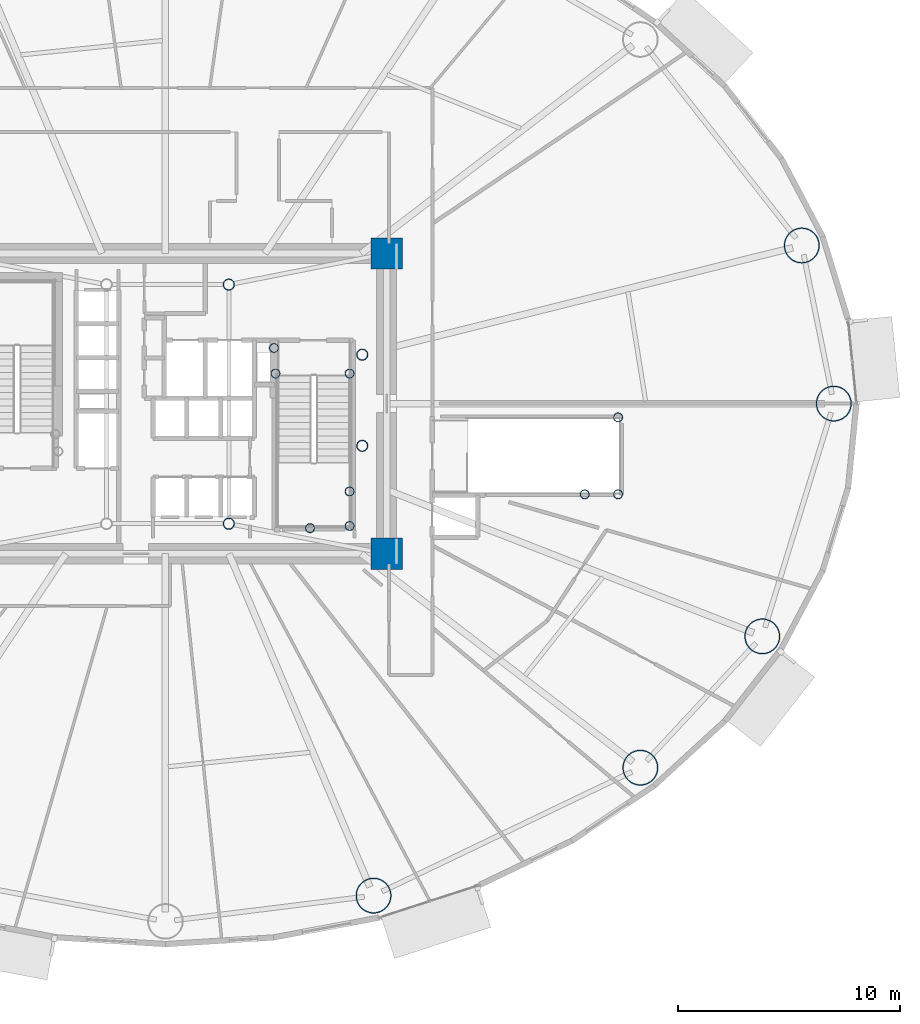
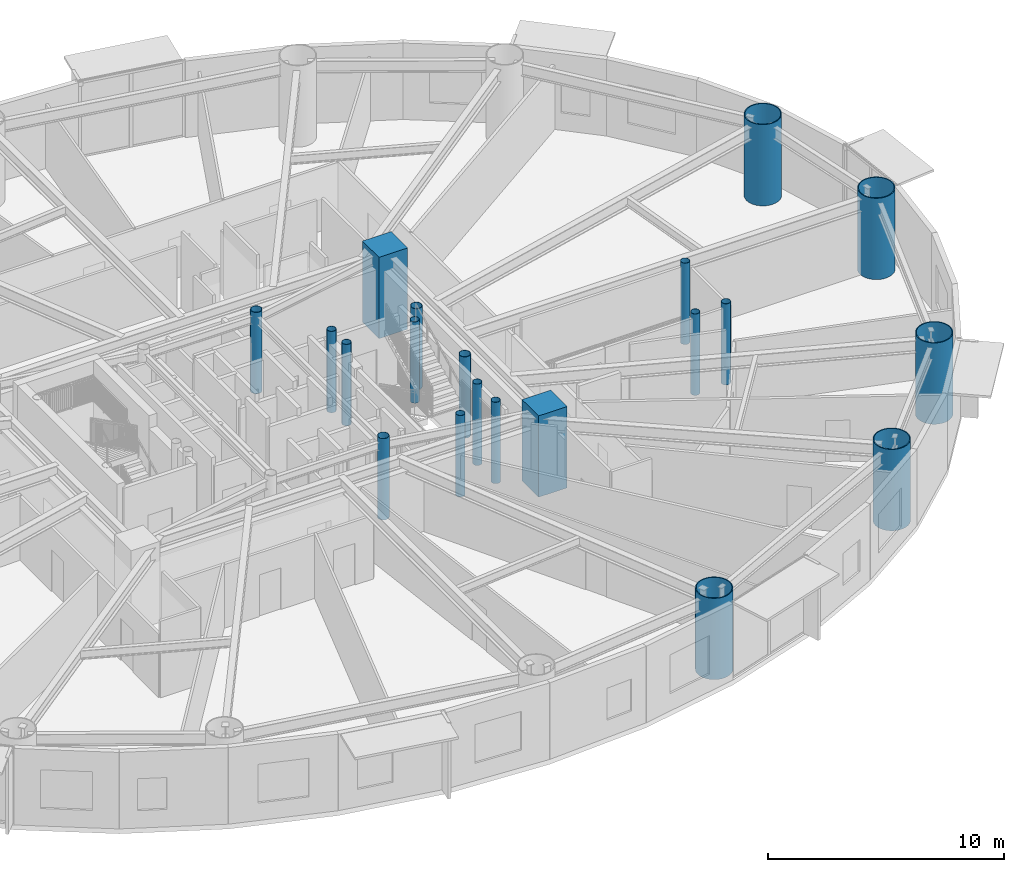
# One storey, part 2 of 28: 20 columns.
"""IFC4 building model written with IfcOpenShell, lengths in metres."""

from ifc_helpers import new_model, si_unit, direction, frame, origin, origin_2d, place, context, subcontext, project, spatial, rectangle, hollow_circle, extrude, material, material_profile, profile_set, type_object, element, save


model = new_model("IFC4")

# Units and contexts
model_context = context("Model", 3, precision=1e-05, world=origin(), true_north=direction((0.0, 1.0)))
body_context = subcontext(model_context, "Body", "Model", "MODEL_VIEW")
ifc_project = project(units=[si_unit("LENGTHUNIT", "METRE"), si_unit("AREAUNIT", "SQUARE_METRE"), si_unit("VOLUMEUNIT", "CUBIC_METRE"), si_unit("PLANEANGLEUNIT", "RADIAN"), si_unit("MASSUNIT", "GRAM", prefix="KILO")], contexts=[model_context])

# Site, building, storey
site_placement = place(None, origin())
site = spatial("IfcSite", under=ifc_project, at=site_placement, CompositionType="ELEMENT")
building_placement = place(site_placement, origin())
building = spatial("IfcBuilding", under=site, at=building_placement, Name="Linh Dai School and Residence Tower", CompositionType="ELEMENT")
storey_placement = place(building_placement, frame((0.0, 0.0, 57.60009765625)))
storey = spatial("IfcBuildingStorey", under=building, at=storey_placement, Name="L13", CompositionType="ELEMENT", Elevation=57.60009765625)

# Columns
ifc_material_1 = material(Name="Concrete B60 (C50/60)", Category="concrete")
ifc_material_profile_1 = material_profile(ifc_material_1, rectangle(XDim=1.39990234375, YDim=1.39990234375, at=origin_2d()), Name="RC 1400x1400")
ifc_profile_set_1 = profile_set([ifc_material_profile_1], Name="Concrete B60 (C50/60)")
column_type_1 = type_object("IfcColumnType", Name="COL-CC1", PredefinedType="COLUMN", material=ifc_profile_set_1)
for number, where, z_axis, x_axis, name in (
    (1, (45.949951171875, 20.25, 0.0), (0.0, 0.0, 1.0), (1.0, 0.0, 0.0), "L13 Core Corner Pier CC2"),
    (2, (45.949951171875, 33.75, 0.0), (0.0, 0.0, 1.0), (1.0, 0.0, 0.0), "L13 Core Corner Pier CC3"),
):
    element("IfcColumn", number, at=place(storey_placement, frame(where, z_axis=z_axis, x_axis=x_axis)), inside=storey, type_object=column_type_1, Name=name, PredefinedType="COLUMN", context=body_context, shape_type="SweptSolid", body=[
        extrude(rectangle(XDim=1.39990234375, YDim=1.39990234375, at=origin_2d()), origin(), (0.0, 0.0, 1.0), 4.199951171875),
    ])
ifc_material_2 = material(Name="Structural Steel S355JR", Category="steel")
ifc_material_profile_2 = material_profile(ifc_material_2, hollow_circle(Radius=0.203125, WallThickness=0.01611328125, at=origin_2d()), Name="CHS 406.4x16")
ifc_profile_set_2 = profile_set([ifc_material_profile_2], Name="Structural Steel S355JR")
column_type_2 = type_object("IfcColumnType", Name="COL-EC", PredefinedType="COLUMN", material=ifc_profile_set_2)
for number, where, z_axis, x_axis, name in (
    (3, (44.280029296875, 21.5, 0.0), (0.0, 0.0, 1.0), (1.0, 0.0, 0.0), "L13 Stair Shaft Landing Support Pier ST2SE"),
    (4, (44.280029296875, 23.050048828125, 0.0), (0.0, 0.0, 1.0), (1.0, 0.0, 0.0), "L13 Stair Shaft Landing Support Pier ST2NE"),
    (5, (42.5, 21.39990234375, 0.0), (0.0, 0.0, 1.0), (1.0, 0.0, 0.0), "L13 Stair Shaft Landing Support Pier ST2MS"),
    (6, (40.949951171875, 28.35009765625, 0.0), (0.0, 0.0, 1.0), (1.0, 0.0, 0.0), "L13 Stair Shaft Landing Support Pier ST2N1"),
    (7, (44.280029296875, 28.35009765625, 0.0), (0.0, 0.0, 1.0), (1.0, 0.0, 0.0), "L13 Stair Shaft Landing Support Pier ST2N2"),
    (8, (40.8798828125, 29.5, 0.0), (0.0, 0.0, 1.0), (1.0, 0.0, 0.0), "L13 Stair Shaft Landing Support Pier ST2N3"),
    (9, (56.35009765625, 26.3798828125, 0.0), (0.0, 0.0, 1.0), (1.0, 0.0, 0.0), "L13 Stair Shaft Landing Support Pier STS2NE"),
    (10, (56.35009765625, 22.919921875, 0.0), (0.0, 0.0, 1.0), (1.0, 0.0, 0.0), "L13 Stair Shaft Landing Support Pier STS2SE"),
    (11, (54.85009765625, 22.919921875, 0.0), (0.0, 0.0, 1.0), (1.0, 0.0, 0.0), "L13 Stair Shaft Landing Support Pier STS2MW"),
):
    element("IfcColumn", number, at=place(storey_placement, frame(where, z_axis=z_axis, x_axis=x_axis)), inside=storey, type_object=column_type_2, Name=name, PredefinedType="COLUMN", context=body_context, shape_type="SweptSolid", body=[
        extrude(hollow_circle(Radius=0.203125, WallThickness=0.01611328125, at=origin_2d()), origin(), (0.0, 0.0, 1.0), 4.199951171875),
    ])
ifc_material_profile_3 = material_profile(ifc_material_2, hollow_circle(Radius=0.800048828125, WallThickness=0.044921875, at=origin_2d()), Name="CHS 1600x45")
ifc_profile_set_3 = profile_set([ifc_material_profile_3], Name="Structural Steel S355JR")
column_type_3 = type_object("IfcColumnType", Name="COL-MC2", PredefinedType="COLUMN", material=ifc_profile_set_3)
for number, where, z_axis, x_axis, name in (
    (12, (66.050048828125, 27.0, 0.0), (0.0, 0.0, 1.0), (1.0, 0.0, 0.0), "L13 Perimeter CFT Mega-Column MC01"),
    (13, (64.61083984375, 34.108642578125, 0.0), (0.0, 0.0, 1.0), (1.0, 0.0, 0.0), "L13 Perimeter CFT Mega-Column MC02"),
    (14, (45.357666015625, 4.880126953125, 0.0), (0.0, 0.0, 1.0), (1.0, 0.0, 0.0), "L13 Perimeter CFT Mega-Column MC14"),
    (15, (57.352783203125, 10.630859375, 0.0), (0.0, 0.0, 1.0), (1.0, 0.0, 0.0), "L13 Perimeter CFT Mega-Column MC15"),
    (16, (62.83544921875, 16.5361328125, 0.0), (0.0, 0.0, 1.0), (1.0, 0.0, 0.0), "L13 Perimeter CFT Mega-Column MC16"),
):
    element("IfcColumn", number, at=place(storey_placement, frame(where, z_axis=z_axis, x_axis=x_axis)), inside=storey, type_object=column_type_3, Name=name, PredefinedType="COLUMN", context=body_context, shape_type="SweptSolid", body=[
        extrude(hollow_circle(Radius=0.800048828125, WallThickness=0.044921875, at=origin_2d()), origin(), (0.0, 0.0, 1.0), 4.199951171875),
    ])
ifc_material_profile_4 = material_profile(ifc_material_2, hollow_circle(Radius=0.25390625, WallThickness=0.02001953125, at=origin_2d()), Name="CHS 508x20")
ifc_profile_set_4 = profile_set([ifc_material_profile_4], Name="Structural Steel S355JR")
column_type_4 = type_object("IfcColumnType", Name="COL-MCP", PredefinedType="COLUMN", material=ifc_profile_set_4)
for number, where, z_axis, x_axis, name in (
    (17, (38.85009765625, 21.60009765625, 0.0), (0.0, 0.0, 1.0), (1.0, 0.0, 0.0), "L13 Core Mast Support Pier MCP2"),
    (18, (38.85009765625, 32.35009765625, 0.0), (0.0, 0.0, 1.0), (1.0, 0.0, 0.0), "L13 Core Mast Support Pier MCP3"),
    (19, (44.85009765625, 25.10009765625, 0.0), (0.0, 0.0, 1.0), (1.0, 0.0, 0.0), "L13 Sky-Lounge Core Anchor Pier S"),
    (20, (44.85009765625, 29.199951171875, 0.0), (0.0, 0.0, 1.0), (1.0, 0.0, 0.0), "L13 Sky-Lounge Core Anchor Pier N"),
):
    element("IfcColumn", number, at=place(storey_placement, frame(where, z_axis=z_axis, x_axis=x_axis)), inside=storey, type_object=column_type_4, Name=name, PredefinedType="COLUMN", context=body_context, shape_type="SweptSolid", body=[
        extrude(hollow_circle(Radius=0.25390625, WallThickness=0.02001953125, at=origin_2d()), origin(), (0.0, 0.0, 1.0), 4.199951171875),
    ])

save(model, "model.ifc")
